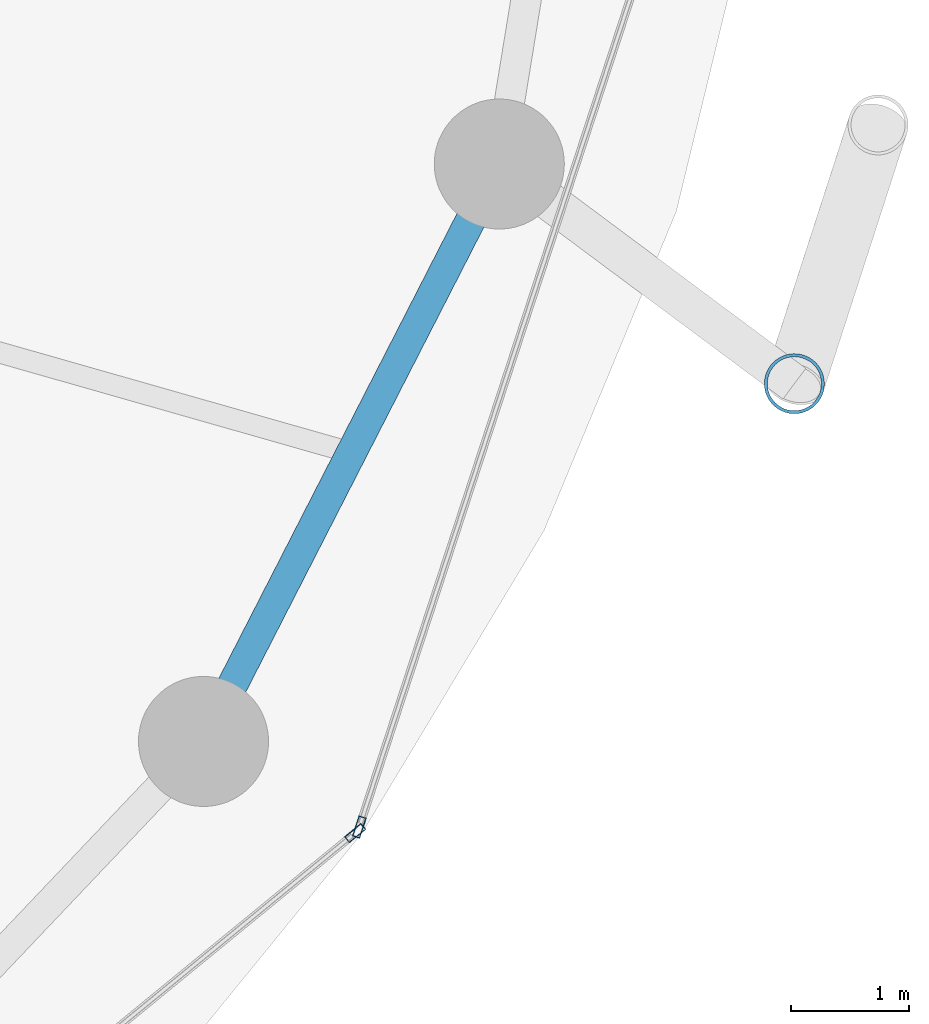
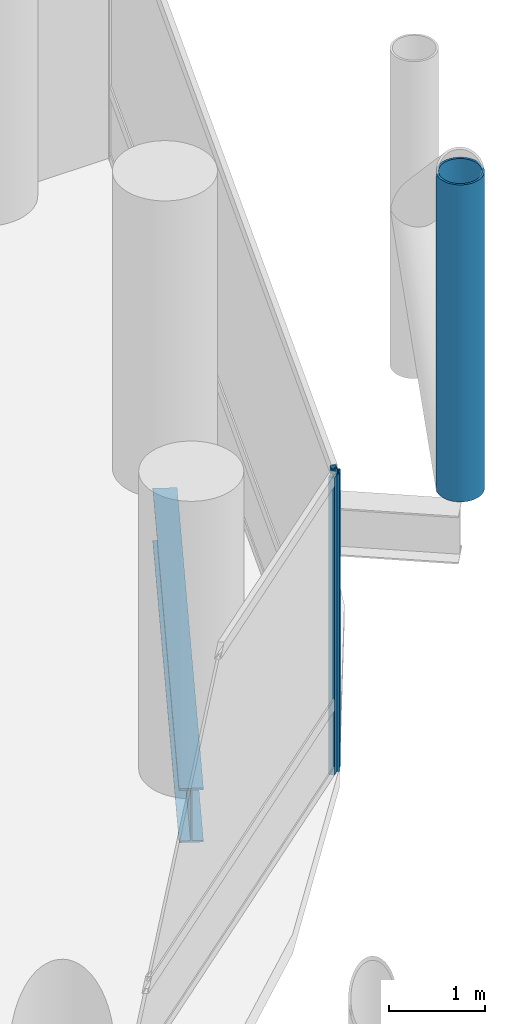
# One storey, part 10 of 25: 3 members, 1 beam, 2 elements without a shape of their own.
"""IFC4 building model written with IfcOpenShell, lengths in metres."""

from ifc_helpers import new_model, si_unit, direction, frame, origin, origin_2d, place, context, subcontext, project, spatial, hollow_rectangle, hollow_circle, i_section, extrude, material, layer, layer_set, material_profile, profile_set, type_object, element, aggregate, save


model = new_model("IFC4")

# Units and contexts
model_context = context("Model", 3, precision=1e-05, world=origin(), true_north=direction((0.0, 1.0)))
body_context = subcontext(model_context, "Body", "Model", "MODEL_VIEW")
ifc_project = project(units=[si_unit("LENGTHUNIT", "METRE"), si_unit("AREAUNIT", "SQUARE_METRE"), si_unit("VOLUMEUNIT", "CUBIC_METRE"), si_unit("PLANEANGLEUNIT", "RADIAN"), si_unit("MASSUNIT", "GRAM", prefix="KILO")], contexts=[model_context])

# Site, building, storey
site_placement = place(None, origin())
site = spatial("IfcSite", under=ifc_project, at=site_placement, CompositionType="ELEMENT")
building_placement = place(site_placement, origin())
building = spatial("IfcBuilding", under=site, at=building_placement, Name="Nuhasar Tower", CompositionType="ELEMENT")
storey_placement = place(building_placement, frame((0.0, 0.0, 65.550048828125)))
storey = spatial("IfcBuildingStorey", under=building, at=storey_placement, Name="L15", CompositionType="ELEMENT", Elevation=65.550048828125)

# Beam
ifc_material_1 = material(Name="Steel S355", Category="steel")
ifc_material_profile_1 = material_profile(ifc_material_1, i_section(OverallWidth=0.256103515625, OverallDepth=0.693115234375, WebThickness=0.014404296875, FlangeThickness=0.023681640625, at=origin_2d()), Name="W27X114")
ifc_profile_set_1 = profile_set([ifc_material_profile_1], Name="Steel S355")
beam_type = type_object("IfcBeamType", Name="BM-RING-W27X114", PredefinedType="SPANDREL", material=ifc_profile_set_1)
beam_placement = place(storey_placement, frame((60.694091796875, 16.675048828125, -0.59716796875), z_axis=(0.455930023905, 0.890015625314, 0.0), x_axis=(-0.890015625314, 0.455930023905, 0.0)))
element("IfcBeam", 1, at=beam_placement, inside=storey, type_object=beam_type, Name="L15 Perimeter Ring Spandrel 23", PredefinedType="SPANDREL", context=body_context, shape_type="SweptSolid", body=[
    extrude(i_section(OverallWidth=0.256103515625, OverallDepth=0.693115234375, WebThickness=0.014404296875, FlangeThickness=0.023681640625, at=origin_2d()), origin(), (0.0, 0.0, 1.0), 5.487548828125),
])

# Curtain wall, member
ifc_material_2 = material(Name="Aluminium 6063-T6", Category="aluminium")
ifc_layer = layer(ifc_material_2, 0.199951171875)
ifc_layer_set = layer_set([ifc_layer], Name="Aluminium 6063-T6")
curtain_wall_type = type_object("IfcCurtainWallType", Name="CW-Z1-OFF", PredefinedType="NOTDEFINED", material=ifc_layer_set)
curtain_wall_1_placement = place(storey_placement, origin())
curtain_wall_1 = element("IfcCurtainWall", 2, at=curtain_wall_1_placement, inside=storey, type_object=curtain_wall_type, Name="L15 Unitised Curtain Wall 11", PredefinedType="NOTDEFINED")
ifc_material_profile_2 = material_profile(ifc_material_2, hollow_rectangle(XDim=0.06494140625, YDim=0.179931640625, WallThickness=0.0048828125, at=origin_2d()), Name="CWM-2")
ifc_profile_set_2 = profile_set([ifc_material_profile_2], Name="Aluminium 6063-T6")
member_type_1 = type_object("IfcMemberType", Name="CW-MUL-S2", PredefinedType="MULLION", material=ifc_profile_set_2)
member_1_placement = place(storey_placement, frame((61.976806640625, 15.8994140625, 0.0), z_axis=(0.0, 0.0, 1.0), x_axis=(-0.633744593376, 0.773542364946, 0.0)))
member_1 = element("IfcMember", 3, at=member_1_placement, type_object=member_type_1, Name="CW-Z1 mullion 2", PredefinedType="MULLION", context=body_context, shape_type="SweptSolid", body=[
    extrude(hollow_rectangle(XDim=0.06494140625, YDim=0.179931640625, WallThickness=0.0048828125, at=origin_2d()), origin(), (0.0, 0.0, 1.0), 3.800048828125),
])
aggregate(curtain_wall_1, [member_1])

curtain_wall_2_placement = place(storey_placement, origin())
curtain_wall_2 = element("IfcCurtainWall", 4, at=curtain_wall_2_placement, inside=storey, type_object=curtain_wall_type, Name="L15 Unitised Curtain Wall 12", PredefinedType="NOTDEFINED")
member_2_placement = place(storey_placement, frame((62.01220703125, 15.950927734375, 0.0), z_axis=(0.0, 0.0, 1.0), x_axis=(-0.950467534571, 0.310823849997, 0.0)))
member_2 = element("IfcMember", 5, at=member_2_placement, type_object=member_type_1, Name="CW-Z1 mullion 1", PredefinedType="MULLION", context=body_context, shape_type="SweptSolid", body=[
    extrude(hollow_rectangle(XDim=0.06494140625, YDim=0.179931640625, WallThickness=0.0048828125, at=origin_2d()), origin(), (0.0, 0.0, 1.0), 3.800048828125),
])
aggregate(curtain_wall_2, [member_2])

# Member
ifc_material_3 = material(Name="Steel S460", Category="steel")
ifc_material_profile_3 = material_profile(ifc_material_3, hollow_circle(Radius=0.25390625, WallThickness=0.025390625, at=origin_2d()), Name="HSS508X25.4")
ifc_profile_set_3 = profile_set([ifc_material_profile_3], Name="Steel S460")
member_type_2 = type_object("IfcMemberType", Name="EXO-BRONZE-508", PredefinedType="BRACE", material=ifc_profile_set_3)
member_3_placement = place(storey_placement, frame((65.69189453125, 19.700927734375, 0.0), z_axis=(0.0, 0.0, 1.0), x_axis=(1.0, 0.0, 0.0)))
element("IfcMember", 6, at=member_3_placement, inside=storey, type_object=member_type_2, Name="L15 Exoskeleton Chord Column EC-12A", PredefinedType="BRACE", context=body_context, shape_type="SweptSolid", body=[
    extrude(hollow_circle(Radius=0.25390625, WallThickness=0.025390625, at=origin_2d()), origin(), (0.0, 0.0, 1.0), 4.050048828125),
])

save(model, "model.ifc")
